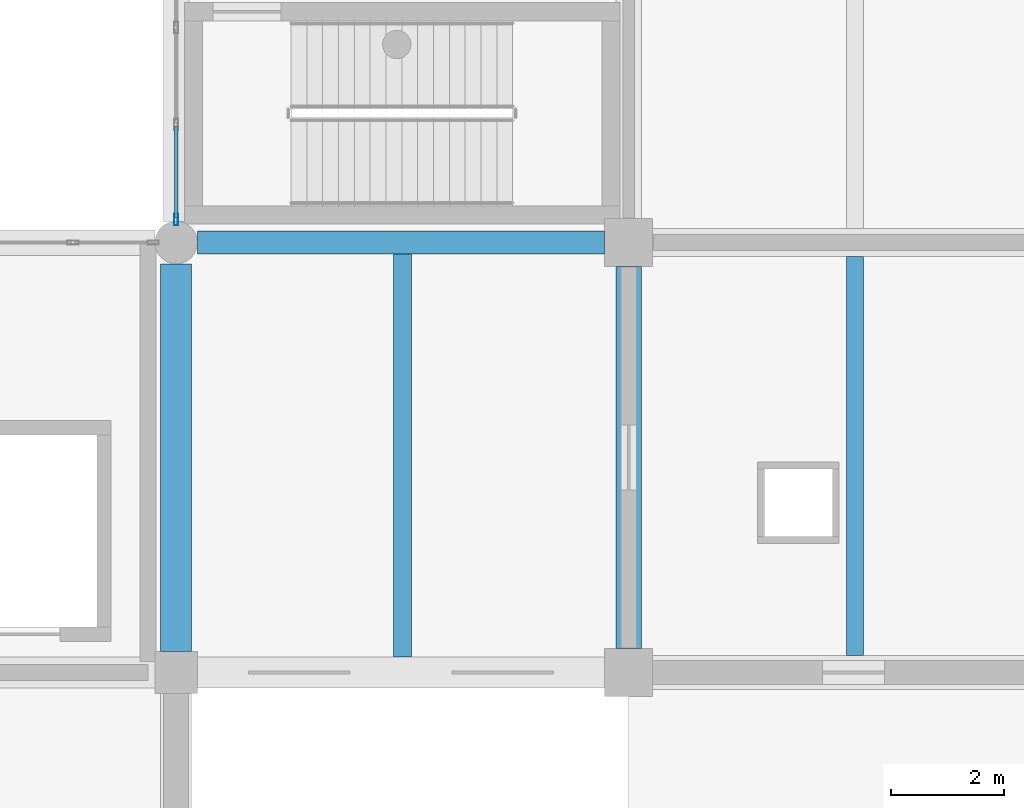
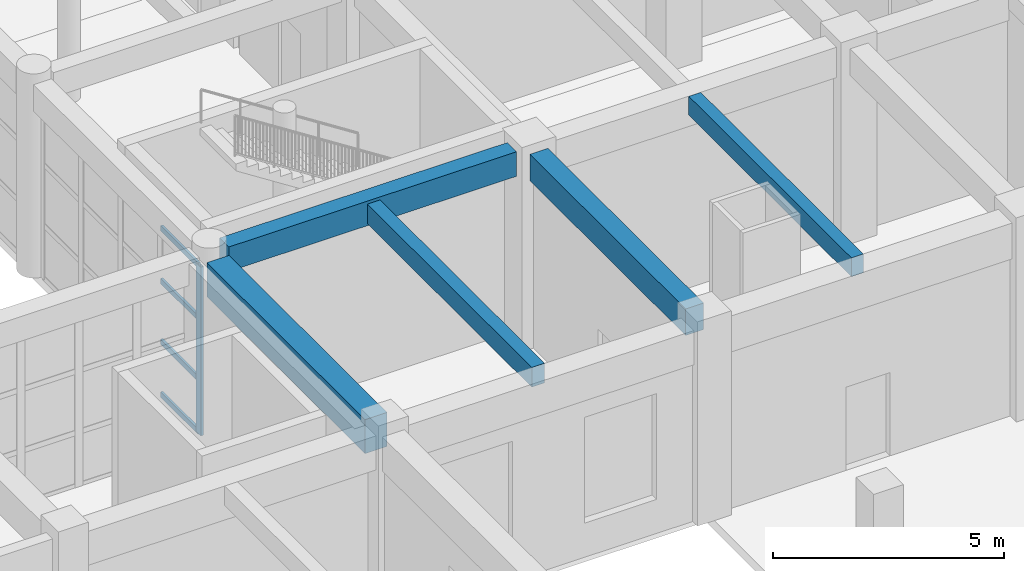
# One storey, part 21 of 95: 5 beams, 5 members, 1 element without a shape of its own.
"""IFC4 building model written with IfcOpenShell, lengths in metres."""

from ifc_helpers import new_model, si_unit, direction, frame, origin, origin_2d, place, context, subcontext, project, spatial, rectangle, hollow_rectangle, extrude, material, material_profile, profile_set, type_object, element, aggregate, save


model = new_model("IFC4")

# Units and contexts
model_context = context("Model", 3, precision=1e-05, world=origin(), true_north=direction((0.0, 1.0)))
body_context = subcontext(model_context, "Body", "Model", "MODEL_VIEW")
ifc_project = project(units=[si_unit("LENGTHUNIT", "METRE"), si_unit("AREAUNIT", "SQUARE_METRE"), si_unit("VOLUMEUNIT", "CUBIC_METRE"), si_unit("PLANEANGLEUNIT", "RADIAN"), si_unit("MASSUNIT", "GRAM", prefix="KILO")], contexts=[model_context])

# Site, building, storey
site_placement = place(None, origin())
site = spatial("IfcSite", under=ifc_project, at=site_placement, CompositionType="ELEMENT")
building_placement = place(site_placement, origin())
building = spatial("IfcBuilding", under=site, at=building_placement, Name="Zantavel Square City Hall", CompositionType="ELEMENT")
storey_placement = place(building_placement, origin())
storey = spatial("IfcBuildingStorey", under=building, at=storey_placement, Name="L01", CompositionType="ELEMENT", Elevation=0.0)

# Beams
ifc_material_1 = material(Name="Concrete C40/50", Category="concrete")
ifc_material_profile_1 = material_profile(ifc_material_1, rectangle(XDim=0.320068359375, YDim=0.52001953125, at=origin_2d()), Name="RC 320x520")
ifc_profile_set_1 = profile_set([ifc_material_profile_1], Name="Concrete C40/50")
beam_type_1 = type_object("IfcBeamType", Name="Archive Floor Joist RC 320x520 C40/50", PredefinedType="JOIST", material=ifc_profile_set_1)
beam_1_placement = place(storey_placement, frame((52.0, 30.675048828125, 4.820068359375), z_axis=(0.0, 1.0, 0.0), x_axis=(-1.0, 0.0, 0.0)))
element("IfcBeam", 1, at=beam_1_placement, inside=storey, type_object=beam_type_1, Name="L01 Floor Joist JST-L01-0520-0304", PredefinedType="JOIST", context=body_context, shape_type="SweptSolid", body=[
    extrude(rectangle(XDim=0.320068359375, YDim=0.52001953125, at=origin_2d()), origin(), (0.0, 0.0, 1.0), 7.125),
])
ifc_material_profile_2 = material_profile(ifc_material_1, rectangle(XDim=0.550048828125, YDim=0.89990234375, at=origin_2d()), Name="RC 550x900")
ifc_profile_set_2 = profile_set([ifc_material_profile_2], Name="Concrete C40/50")
beam_type_2 = type_object("IfcBeamType", Name="Archive Heavy Girder RC 550x900 C40/50", PredefinedType="BEAM", material=ifc_profile_set_2)
beam_2_placement = place(storey_placement, frame((48.0, 30.77490234375, 4.6298828125), z_axis=(0.0, 1.0, 0.0), x_axis=(-1.0, 0.0, 0.0)))
element("IfcBeam", 2, at=beam_2_placement, inside=storey, type_object=beam_type_2, Name="L01 Beam BMY-L01-0480-0304", PredefinedType="BEAM", context=body_context, shape_type="SweptSolid", body=[
    extrude(rectangle(XDim=0.550048828125, YDim=0.89990234375, at=origin_2d()), origin(), (0.0, 0.0, 1.0), 6.85009765625),
])

# Curtain wall, members
ifc_material_2 = material(Name="Anodised aluminium 6063-T6", Category="aluminium")
curtain_wall_type = type_object("IfcCurtainWallType", Name="Curtain Wall CRT 6850x4460", PredefinedType="USERDEFINED", material=ifc_material_2)
curtain_wall_placement = place(storey_placement, origin())
curtain_wall = element("IfcCurtainWall", 3, at=curtain_wall_placement, inside=storey, type_object=curtain_wall_type, Name="L01 Glazed Curtain Wall CW-L01-014", ObjectType="GLAZED CURTAIN WALL", PredefinedType="USERDEFINED")
ifc_material_profile_3 = material_profile(ifc_material_2, hollow_rectangle(XDim=0.070068359375, YDim=0.199951171875, WallThickness=0.00439453125, at=origin_2d()), Name="ALU 70x200x4.5")
ifc_profile_set_3 = profile_set([ifc_material_profile_3], Name="Anodised aluminium 6063-T6")
member_type_1 = type_object("IfcMemberType", Name="CW Heavy Hall Mullion ALU 70x200x4.5", PredefinedType="MULLION", material=ifc_profile_set_3)
member_1_placement = place(storey_placement, frame((48.0, 38.405029296875, 0.0), z_axis=(0.0, 0.0, 1.0), x_axis=(-1.0, 0.0, 0.0)))
member_1 = element("IfcMember", 4, at=member_1_placement, type_object=member_type_1, Name="CW-014 mullion 1", PredefinedType="MULLION", context=body_context, shape_type="SweptSolid", body=[
    extrude(hollow_rectangle(XDim=0.070068359375, YDim=0.199951171875, WallThickness=0.00439453125, at=origin_2d()), origin(), (0.0, 0.0, 1.0), 4.4599609375),
])
ifc_material_profile_4 = material_profile(ifc_material_2, hollow_rectangle(XDim=0.06005859375, YDim=0.139892578125, WallThickness=0.00390625, at=origin_2d()), Name="ALU 60x140x4")
ifc_profile_set_4 = profile_set([ifc_material_profile_4], Name="Anodised aluminium 6063-T6")
member_type_2 = type_object("IfcMemberType", Name="CW Transom ALU 60x140x4", PredefinedType="USERDEFINED", material=ifc_profile_set_4)
member_2_placement = place(storey_placement, frame((48.0, 38.43505859375, 0.030029296875), z_axis=(0.0, 1.0, 0.0), x_axis=(-1.0, 0.0, 0.0)))
member_2 = element("IfcMember", 5, at=member_2_placement, type_object=member_type_2, Name="CW-014 transom 1.1", ObjectType="TRANSOM", PredefinedType="USERDEFINED", context=body_context, shape_type="SweptSolid", body=[
    extrude(hollow_rectangle(XDim=0.06005859375, YDim=0.139892578125, WallThickness=0.00390625, at=origin_2d()), origin(), (0.0, 0.0, 1.0), 1.62255859375),
])
member_3_placement = place(storey_placement, frame((48.0, 38.43505859375, 1.427001953125), z_axis=(0.0, 1.0, 0.0), x_axis=(-1.0, 0.0, 0.0)))
member_3 = element("IfcMember", 6, at=member_3_placement, type_object=member_type_2, Name="CW-014 transom 1.2", ObjectType="TRANSOM", PredefinedType="USERDEFINED", context=body_context, shape_type="SweptSolid", body=[
    extrude(hollow_rectangle(XDim=0.06005859375, YDim=0.139892578125, WallThickness=0.00390625, at=origin_2d()), origin(), (0.0, 0.0, 1.0), 1.62255859375),
])
member_4_placement = place(storey_placement, frame((48.0, 38.43505859375, 3.032958984375), z_axis=(0.0, 1.0, 0.0), x_axis=(-1.0, 0.0, 0.0)))
member_4 = element("IfcMember", 7, at=member_4_placement, type_object=member_type_2, Name="CW-014 transom 1.3", ObjectType="TRANSOM", PredefinedType="USERDEFINED", context=body_context, shape_type="SweptSolid", body=[
    extrude(hollow_rectangle(XDim=0.06005859375, YDim=0.139892578125, WallThickness=0.00390625, at=origin_2d()), origin(), (0.0, 0.0, 1.0), 1.62255859375),
])
member_5_placement = place(storey_placement, frame((48.0, 38.43505859375, 4.429931640625), z_axis=(0.0, 1.0, 0.0), x_axis=(-1.0, 0.0, 0.0)))
member_5 = element("IfcMember", 8, at=member_5_placement, type_object=member_type_2, Name="CW-014 transom 1.4", ObjectType="TRANSOM", PredefinedType="USERDEFINED", context=body_context, shape_type="SweptSolid", body=[
    extrude(hollow_rectangle(XDim=0.06005859375, YDim=0.139892578125, WallThickness=0.00390625, at=origin_2d()), origin(), (0.0, 0.0, 1.0), 1.62255859375),
])
aggregate(curtain_wall, [member_1, member_2, member_3, member_4, member_5])

# Beams
ifc_material_3 = material(Name="Concrete C35/45", Category="concrete")
ifc_material_profile_5 = material_profile(ifc_material_3, rectangle(XDim=0.300048828125, YDim=0.5, at=origin_2d()), Name="RC 300x500")
ifc_profile_set_5 = profile_set([ifc_material_profile_5], Name="Concrete C35/45")
beam_type_3 = type_object("IfcBeamType", Name="Floor Joist RC 300x500 C35/45", PredefinedType="JOIST", material=ifc_profile_set_5)
beam_3_placement = place(storey_placement, frame((60.0, 30.699951171875, 4.909912109375), z_axis=(0.0, 1.0, 0.0), x_axis=(-1.0, 0.0, 0.0)))
element("IfcBeam", 9, at=beam_3_placement, inside=storey, type_object=beam_type_3, Name="L01 Floor Joist JST-L01-0600-0304", PredefinedType="JOIST", context=body_context, shape_type="SweptSolid", body=[
    extrude(rectangle(XDim=0.300048828125, YDim=0.5, at=origin_2d()), origin(), (0.0, 0.0, 1.0), 7.050048828125),
])
ifc_material_profile_6 = material_profile(ifc_material_3, rectangle(XDim=0.39990234375, YDim=0.64990234375, at=origin_2d()), Name="RC 400x650")
ifc_profile_set_6 = profile_set([ifc_material_profile_6], Name="Concrete C35/45")
beam_type_4 = type_object("IfcBeamType", Name="Frame Beam RC 400x650 C35/45", PredefinedType="BEAM", material=ifc_profile_set_6)
beam_4_placement = place(storey_placement, frame((48.375, 38.0, 4.8349609375), z_axis=(1.0, 0.0, 0.0), x_axis=(0.0, 1.0, 0.0)))
element("IfcBeam", 10, at=beam_4_placement, inside=storey, type_object=beam_type_4, Name="L01 Girder BMX-L01-0480-0380", PredefinedType="BEAM", context=body_context, shape_type="SweptSolid", body=[
    extrude(rectangle(XDim=0.39990234375, YDim=0.64990234375, at=origin_2d()), origin(), (0.0, 0.0, 1.0), 7.199951171875),
])
ifc_material_profile_7 = material_profile(ifc_material_3, rectangle(XDim=0.449951171875, YDim=0.699951171875, at=origin_2d()), Name="RC 450x700")
ifc_profile_set_7 = profile_set([ifc_material_profile_7], Name="Concrete C35/45")
beam_type_5 = type_object("IfcBeamType", Name="Primary Girder RC 450x700 C35/45", PredefinedType="BEAM", material=ifc_profile_set_7)
beam_5_placement = place(storey_placement, frame((56.0, 30.824951171875, 4.81005859375), z_axis=(0.0, 1.0, 0.0), x_axis=(-1.0, 0.0, 0.0)))
element("IfcBeam", 11, at=beam_5_placement, inside=storey, type_object=beam_type_5, Name="L01 Beam BMY-L01-0560-0304", PredefinedType="BEAM", context=body_context, shape_type="SweptSolid", body=[
    extrude(rectangle(XDim=0.449951171875, YDim=0.699951171875, at=origin_2d()), origin(), (0.0, 0.0, 1.0), 6.75),
])

save(model, "model.ifc")
